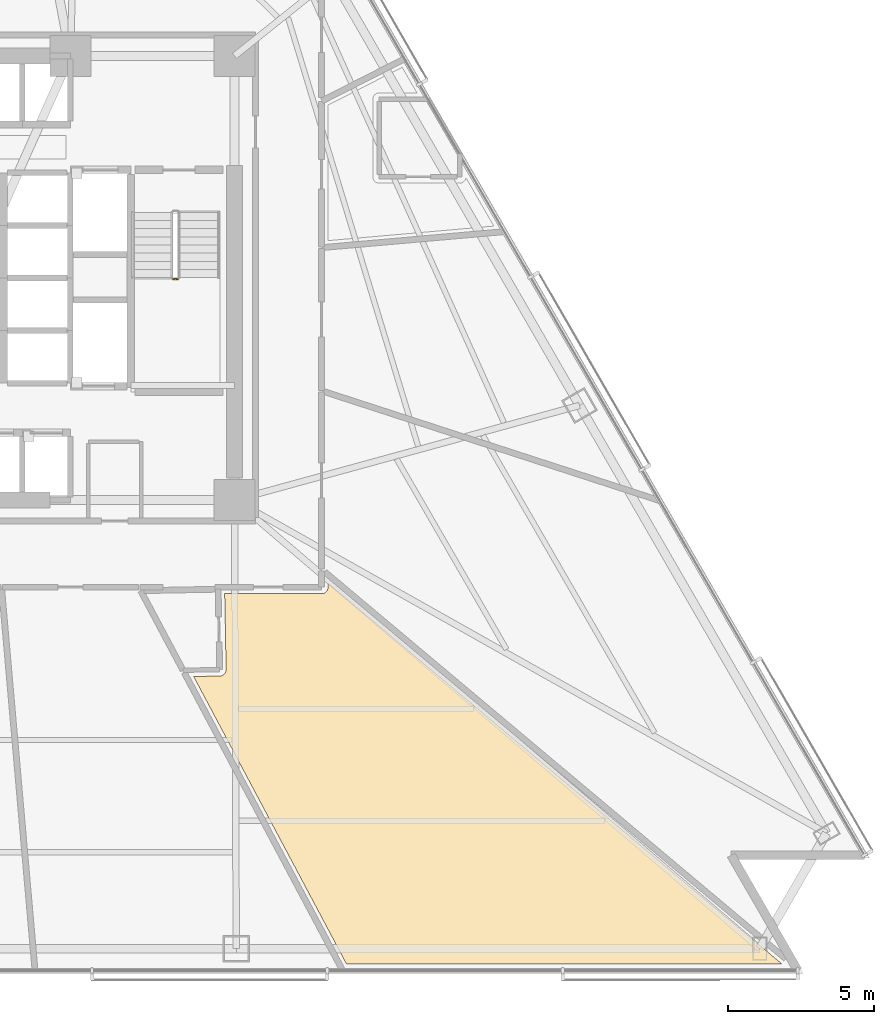
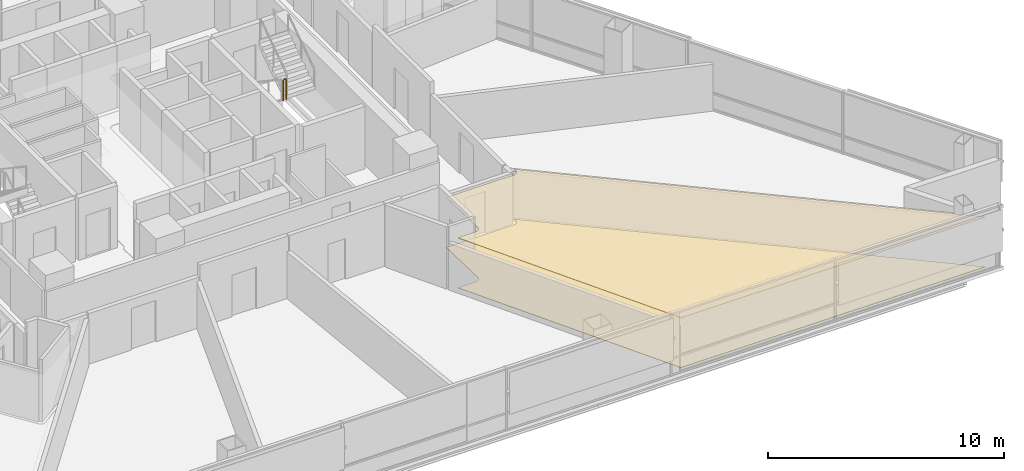
# One storey, part 16 of 18: 2 coverings, 1 railing.
"""IFC4 building model written with IfcOpenShell, lengths in metres."""

from ifc_helpers import new_model, si_unit, direction, frame, origin, origin_2d, place, context, subcontext, project, spatial, polyline, rectangle, outline, extrude, material, layer, layer_set, type_object, element, save


model = new_model("IFC4")

# Units and contexts
model_context = context("Model", 3, precision=1e-05, world=origin(), true_north=direction((0.0, 1.0)))
body_context = subcontext(model_context, "Body", "Model", "MODEL_VIEW")
ifc_project = project(units=[si_unit("LENGTHUNIT", "METRE"), si_unit("AREAUNIT", "SQUARE_METRE"), si_unit("VOLUMEUNIT", "CUBIC_METRE"), si_unit("PLANEANGLEUNIT", "RADIAN"), si_unit("MASSUNIT", "GRAM", prefix="KILO")], contexts=[model_context])

# Site, building, storey
site_placement = place(None, origin())
site = spatial("IfcSite", under=ifc_project, at=site_placement, CompositionType="ELEMENT")
building_placement = place(site_placement, origin())
building = spatial("IfcBuilding", under=site, at=building_placement, Name="Tharavind Bronze Gate", CompositionType="ELEMENT")
storey_placement = place(building_placement, frame((0.0, 0.0, 38.64990234375)))
storey = spatial("IfcBuildingStorey", under=building, at=storey_placement, Name="L08", CompositionType="ELEMENT", Elevation=38.64990234375)

# Coverings
ifc_material_1 = material(Name="Engineered Oak & Carpet Tile", Category="wood")
ifc_layer_1 = layer(ifc_material_1, 0.02490234375)
ifc_layer_set_1 = layer_set([ifc_layer_1], Name="Engineered Oak & Carpet Tile")
covering_type_1 = type_object("IfcCoveringType", Name="ENGINEERED TIMBER FLOORING", PredefinedType="FLOORING", material=ifc_layer_set_1)
covering_1_placement = place(storey_placement, origin())
element("IfcCovering", 1, at=covering_1_placement, inside=storey, type_object=covering_type_1, Name="L08-RM-14 floor finish", PredefinedType="FLOORING", context=body_context, shape_type="SweptSolid", body=[
    extrude(outline(polyline([(8.612060546875, -13.393798828125), (8.611328125, -13.415283203125), (8.608642578125, -13.436767578125), (8.603759765625, -13.4580078125), (8.596923828125, -13.478271484375), (8.588134765625, -13.498046875), (8.577392578125, -13.516845703125), (8.564697265625, -13.534423828125), (8.55078125, -13.550537109375), (8.534912109375, -13.5654296875), (8.517822265625, -13.57861328125), (8.49951171875, -13.590087890625), (8.480224609375, -13.599609375), (8.4599609375, -13.607421875), (8.439208984375, -13.613037109375), (8.41796875, -13.61669921875), (8.396484375, -13.6181640625), (7.499267578125, -13.635498046875), (12.733642578125, -23.47998046875), (27.64013671875, -23.47998046875), (12.10009765625, -10.440185546875), (12.10009765625, -10.579345703125), (12.099609375, -10.590087890625), (12.099609375, -10.5908203125), (12.09765625, -10.6123046875), (12.093505859375, -10.63330078125), (12.087158203125, -10.654052734375), (12.078857421875, -10.674072265625), (12.068603515625, -10.693115234375), (12.056640625, -10.7109375), (12.04296875, -10.727783203125), (12.027587890625, -10.742919921875), (12.010986328125, -10.756591796875), (11.9931640625, -10.768798828125), (11.97412109375, -10.77880859375), (11.9541015625, -10.787109375), (11.933349609375, -10.79345703125), (11.912353515625, -10.797607421875), (11.890869140625, -10.7998046875), (11.89013671875, -10.7998046875), (11.87939453125, -10.800048828125), (8.561767578125, -10.800048828125), (8.612060546875, -13.393798828125)])), origin(), (0.0, 0.0, 1.0), 0.025146484375),
])
ifc_material_2 = material(Name="Acoustic Gypsum Board", Category="gypsum")
ifc_layer_2 = layer(ifc_material_2, 0.030029296875)
ifc_layer_set_2 = layer_set([ifc_layer_2], Name="Acoustic Gypsum Board")
covering_type_2 = type_object("IfcCoveringType", Name="GYPSUM SUSPENDED CEILING", PredefinedType="CEILING", material=ifc_layer_set_2)
covering_2_placement = place(storey_placement, frame((0.0, 0.0, 2.5751953125)))
element("IfcCovering", 2, at=covering_2_placement, inside=storey, type_object=covering_type_2, Name="L08-RM-14 suspended ceiling", PredefinedType="CEILING", context=body_context, shape_type="SweptSolid", body=[
    extrude(outline(polyline([(8.612060546875, -13.393798828125), (8.611328125, -13.415283203125), (8.608642578125, -13.436767578125), (8.603759765625, -13.4580078125), (8.596923828125, -13.478271484375), (8.588134765625, -13.498046875), (8.577392578125, -13.516845703125), (8.564697265625, -13.534423828125), (8.55078125, -13.550537109375), (8.534912109375, -13.5654296875), (8.517822265625, -13.57861328125), (8.49951171875, -13.590087890625), (8.480224609375, -13.599609375), (8.4599609375, -13.607421875), (8.439208984375, -13.613037109375), (8.41796875, -13.61669921875), (8.396484375, -13.6181640625), (7.499267578125, -13.635498046875), (12.733642578125, -23.47998046875), (27.64013671875, -23.47998046875), (12.10009765625, -10.440185546875), (12.10009765625, -10.579345703125), (12.099609375, -10.590087890625), (12.099609375, -10.5908203125), (12.09765625, -10.6123046875), (12.093505859375, -10.63330078125), (12.087158203125, -10.654052734375), (12.078857421875, -10.674072265625), (12.068603515625, -10.693115234375), (12.056640625, -10.7109375), (12.04296875, -10.727783203125), (12.027587890625, -10.742919921875), (12.010986328125, -10.756591796875), (11.9931640625, -10.768798828125), (11.97412109375, -10.77880859375), (11.9541015625, -10.787109375), (11.933349609375, -10.79345703125), (11.912353515625, -10.797607421875), (11.890869140625, -10.7998046875), (11.89013671875, -10.7998046875), (11.87939453125, -10.800048828125), (8.561767578125, -10.800048828125), (8.612060546875, -13.393798828125)])), origin(), (0.0, 0.0, 1.0), 0.034912109375),
])

# Railing
ifc_material_3 = material(Name="Brushed Bronze Alloy", Category="metal")
railing_type = type_object("IfcRailingType", Name="STAIR WELL GUARD RAILING 1120", PredefinedType="GUARDRAIL", material=ifc_material_3)
railing_placement = place(storey_placement, frame((6.800048828125, -0.0400390625, 1.7001953125)))
element("IfcRailing", 3, at=railing_placement, inside=storey, type_object=railing_type, Name="L08 ST2 stair guard 2", PredefinedType="GUARDRAIL", context=body_context, shape_type="SweptSolid", body=[
    extrude(rectangle(XDim=0.048095703125, YDim=0.048095703125, at=origin_2d()), frame((0.031982421875, 0.0, 1.09619140625), z_axis=(1.0, 0.0, 0.0), x_axis=(0.0, 1.0, 0.0)), (0.0, 0.0, 1.0), 0.0859375),
    extrude(rectangle(XDim=0.0400390625, YDim=0.0400390625, at=origin_2d()), origin(), (0.0, 0.0, 1.0), 1.068115234375),
    extrude(rectangle(XDim=0.0400390625, YDim=0.0400390625, at=origin_2d()), frame((0.14990234375, 0.0, 0.0)), (0.0, 0.0, 1.0), 1.068115234375),
])

save(model, "model.ifc")
